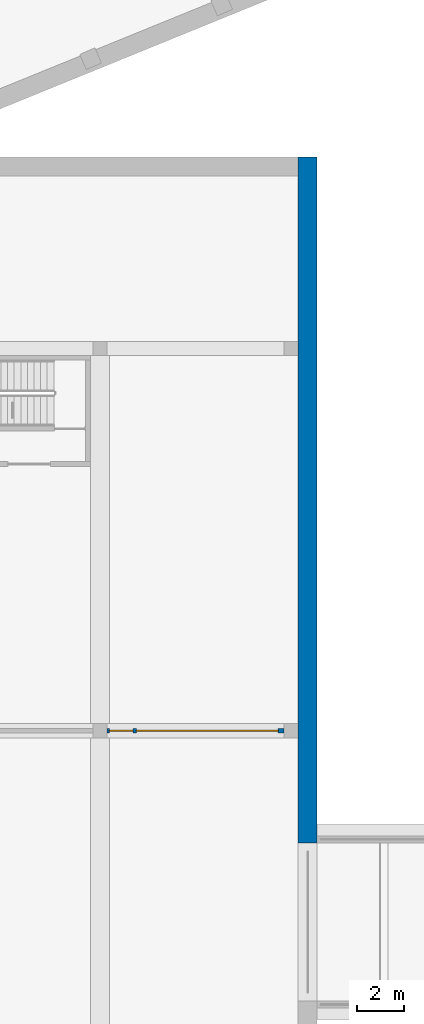
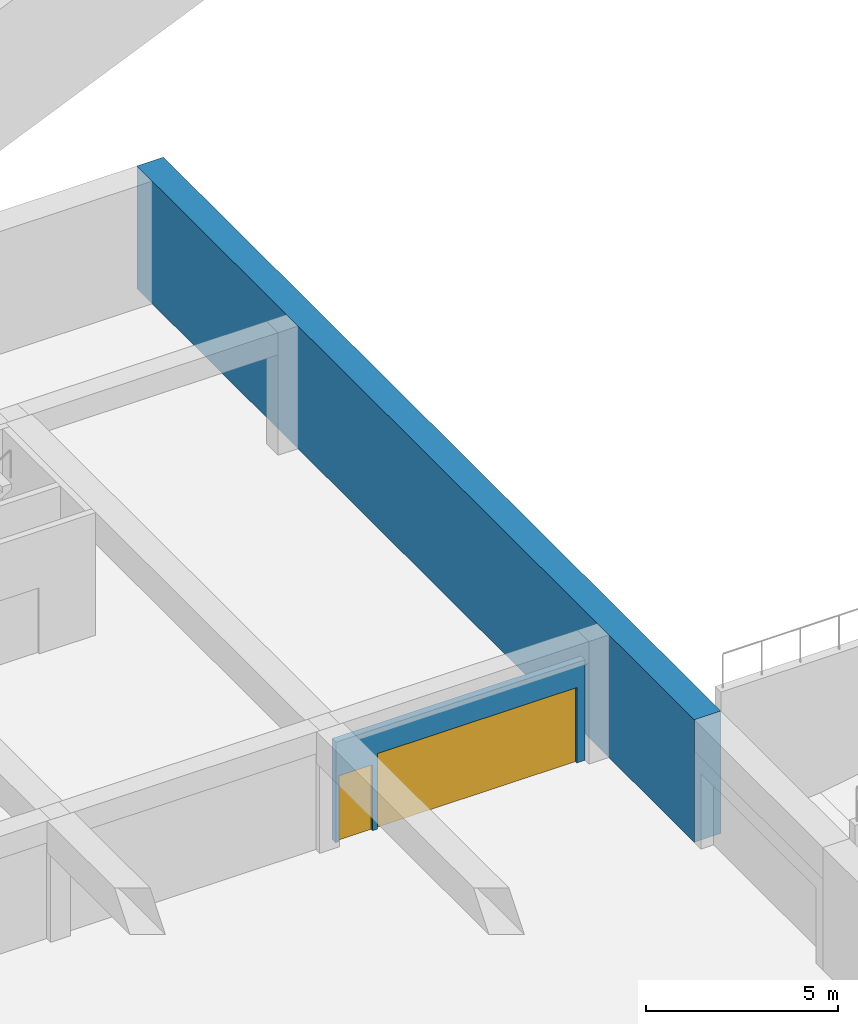
# One storey, part 6 of 23: 2 doors, 2 walls, 2 openings.
"""IFC4 building model written with IfcOpenShell, lengths in metres."""

from ifc_helpers import new_model, si_unit, direction, frame, frame_2d, origin, place, context, subcontext, project, spatial, rectangle, extrude, material, layer, layer_set, type_object, element, fill, save


model = new_model("IFC4")

# Units and contexts
model_context = context("Model", 3, precision=1e-05, world=origin(), true_north=direction((0.0, 1.0)))
body_context = subcontext(model_context, "Body", "Model", "MODEL_VIEW")
ifc_project = project(units=[si_unit("LENGTHUNIT", "METRE"), si_unit("AREAUNIT", "SQUARE_METRE"), si_unit("VOLUMEUNIT", "CUBIC_METRE"), si_unit("PLANEANGLEUNIT", "RADIAN"), si_unit("MASSUNIT", "GRAM", prefix="KILO")], contexts=[model_context])

# Site, building, storey
site_placement = place(None, origin())
site = spatial("IfcSite", under=ifc_project, at=site_placement, CompositionType="ELEMENT")
building_placement = place(site_placement, origin())
building = spatial("IfcBuilding", under=site, at=building_placement, Name="Stone Belt Terrace Tower", CompositionType="ELEMENT")
storey_placement = place(building_placement, frame((0.0, 0.0, -4.5)))
storey = spatial("IfcBuildingStorey", under=building, at=storey_placement, Name="B1", CompositionType="ELEMENT", Elevation=-4.5)

# Wall
ifc_material_1 = material(Name="Concrete B30", Category="concrete")
ifc_layer_1 = layer(ifc_material_1, 0.800048828125)
ifc_layer_set_1 = layer_set([ifc_layer_1], Name="Car park retaining wall 800 variant A")
wall_type_1 = type_object("IfcWallType", Name="Car park retaining wall 800 variant A", PredefinedType="SOLIDWALL", material=ifc_layer_set_1)
wall_1_placement = place(storey_placement, frame((33.10009765625, -22.75, 0.0), z_axis=(0.0, 0.0, 1.0), x_axis=(0.0, 1.0, 0.0)))
element("IfcWall", 1, at=wall_1_placement, inside=storey, type_object=wall_type_1, Name="Car park retaining wall east", PredefinedType="SOLIDWALL", context=body_context, shape_type="SweptSolid", body=[
    extrude(rectangle(XDim=29.050048828125, YDim=0.800048828125, at=frame_2d((14.52490234375, 0.0))), origin(), (0.0, 0.0, 1.0), 3.89990234375),
])

# Wall, openings, doors
ifc_layer_2 = layer(ifc_material_1, 0.199951171875)
ifc_layer_set_2 = layer_set([ifc_layer_2], Name="Compartment wall 200 variant A")
wall_type_2 = type_object("IfcWallType", Name="Compartment wall 200 variant A", PredefinedType="SOLIDWALL", material=ifc_layer_set_2)
wall_2_placement = place(storey_placement, frame((24.60009765625, -18.0, 0.0), z_axis=(0.0, 0.0, 1.0), x_axis=(1.0, 0.0, 0.0)))
wall_2 = element("IfcWall", 2, at=wall_2_placement, inside=storey, type_object=wall_type_2, Name="Compartment wall B1 8", PredefinedType="SOLIDWALL", context=body_context, shape_type="SweptSolid", body=[
    extrude(rectangle(XDim=7.5, YDim=0.199951171875, at=frame_2d((3.75, 0.0))), origin(), (0.0, 0.0, 1.0), 3.199951171875),
])
opening_1_placement = place(wall_2_placement, frame((1.25, 0.0, 0.0)))
opening_1 = element("IfcOpeningElement", 3, at=opening_1_placement, cuts=wall_2, Name="Opening B1-S04", PredefinedType="OPENING", context=body_context, shape_type="SweptSolid", body=[
    extrude(rectangle(XDim=6.0, YDim=2.39990234375, at=frame_2d((3.0, 1.199951171875))), frame((0.0, 0.10986328125, 0.0), z_axis=(0.0, -1.0, 0.0), x_axis=(1.0, 0.0, 0.0)), (0.0, 0.0, 1.0), 0.219970703125),
])
opening_2_placement = place(wall_2_placement, frame((0.10009765625, 0.0, 0.0)))
opening_2 = element("IfcOpeningElement", 4, at=opening_2_placement, cuts=wall_2, Name="Opening B1-S05", PredefinedType="OPENING", context=body_context, shape_type="SweptSolid", body=[
    extrude(rectangle(XDim=1.0, YDim=2.10009765625, at=frame_2d((0.5, 1.050048828125))), frame((0.0, 0.10986328125, 0.0), z_axis=(0.0, -1.0, 0.0), x_axis=(1.0, 0.0, 0.0)), (0.0, 0.0, 1.0), 0.219970703125),
])
ifc_material_2 = material(Name="Steel door leaf", Category="steel")
door_type_1 = type_object("IfcDoorType", Name="Compartment fire door 1000", OperationType="NOTDEFINED", PredefinedType="DOOR", material=ifc_material_2)
door_1_placement = place(opening_2_placement, origin())
door_1 = element("IfcDoor", 5, at=door_1_placement, inside=storey, type_object=door_type_1, Name="Compartment fire door B1 east", OperationType="SINGLE_SWING_RIGHT", OverallHeight=2.10009765625, OverallWidth=1.0, PredefinedType="DOOR", context=body_context, shape_type="SweptSolid", body=[
    extrude(rectangle(XDim=1.0, YDim=2.10009765625, at=frame_2d((0.5, 1.050048828125))), frame((0.0, 0.02490234375, 0.0), z_axis=(0.0, -1.0, 0.0), x_axis=(1.0, 0.0, 0.0)), (0.0, 0.0, 1.0), 0.050048828125),
])
fill(opening_2, door_1)
ifc_material_3 = material(Name="Steel fire shutter", Category="steel")
door_type_2 = type_object("IfcDoorType", Name="Compartment shutter 6000", OperationType="ROLLINGUP", PredefinedType="DOOR", material=ifc_material_3)
door_2_placement = place(opening_1_placement, origin())
door_2 = element("IfcDoor", 6, at=door_2_placement, inside=storey, type_object=door_type_2, Name="Compartment shutter B1 east", OperationType="ROLLINGUP", OverallHeight=2.39990234375, OverallWidth=6.0, PredefinedType="DOOR", context=body_context, shape_type="SweptSolid", body=[
    extrude(rectangle(XDim=6.0, YDim=2.39990234375, at=frame_2d((3.0, 1.199951171875))), frame((0.0, 0.02490234375, 0.0), z_axis=(0.0, -1.0, 0.0), x_axis=(1.0, 0.0, 0.0)), (0.0, 0.0, 1.0), 0.050048828125),
])
fill(opening_1, door_2)

save(model, "model.ifc")
